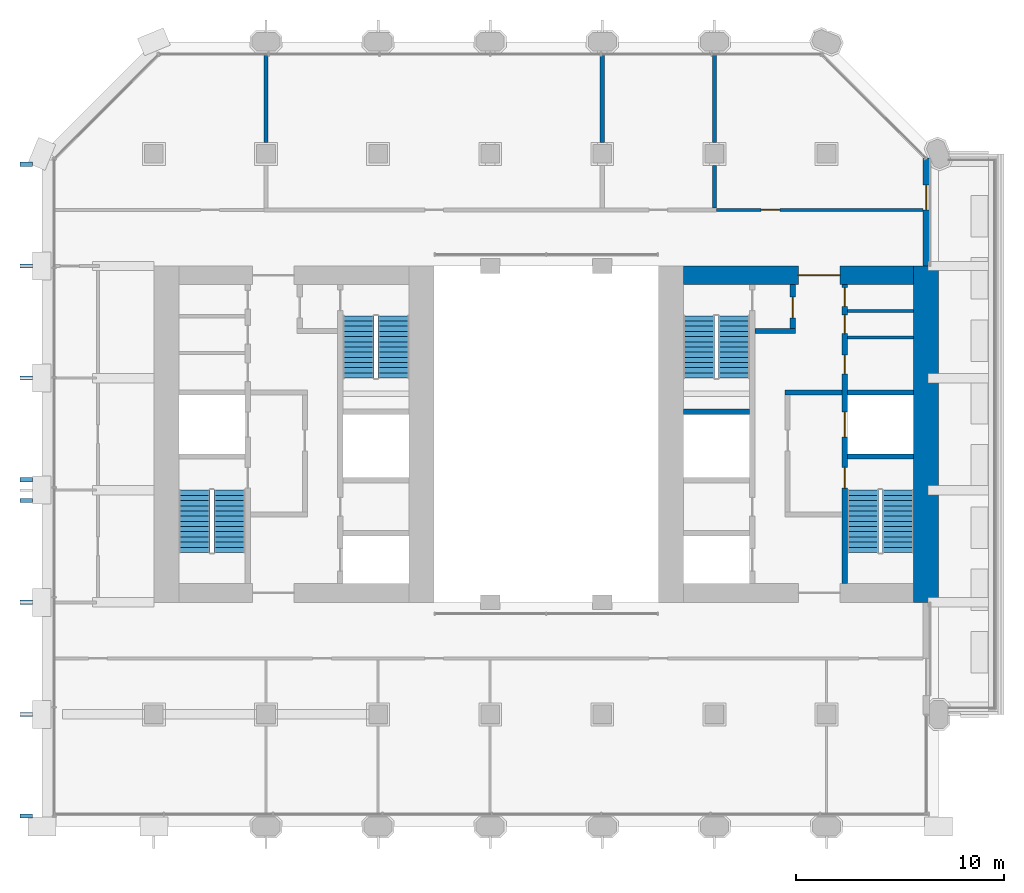
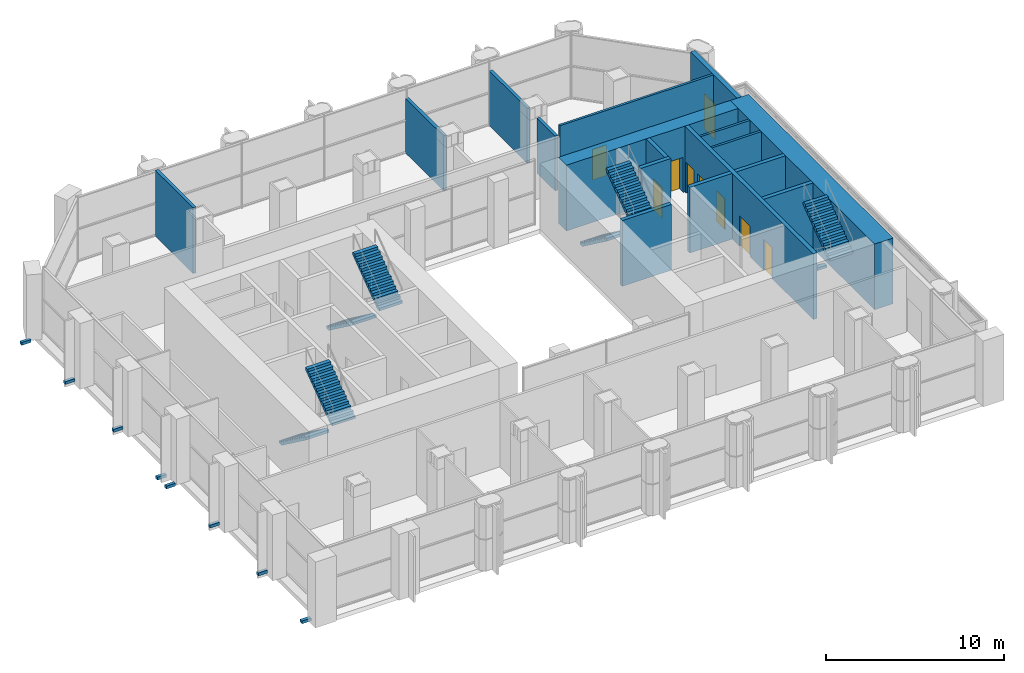
# One storey, part 12 of 15: 17 walls, 9 doors, 8 discrete accessories, 8 stair flights, 9 openings, 4 elements without a shape of their own.
"""IFC4 building model written with IfcOpenShell, lengths in metres."""

from ifc_helpers import new_model, si_unit, direction, frame, frame_2d, origin, origin_2d, place, context, subcontext, project, spatial, polyline, rectangle, outline, extrude, material, layer, layer_set, type_object, element, fill, aggregate, save


model = new_model("IFC4")

# Units and contexts
model_context = context("Model", 3, precision=1e-05, world=origin(), true_north=direction((0.0, 1.0)))
body_context = subcontext(model_context, "Body", "Model", "MODEL_VIEW")
ifc_project = project(units=[si_unit("LENGTHUNIT", "METRE"), si_unit("AREAUNIT", "SQUARE_METRE"), si_unit("VOLUMEUNIT", "CUBIC_METRE"), si_unit("PLANEANGLEUNIT", "RADIAN"), si_unit("MASSUNIT", "GRAM", prefix="KILO")], contexts=[model_context])

# Site, building, storey
site_placement = place(None, origin())
site = spatial("IfcSite", under=ifc_project, at=site_placement, CompositionType="ELEMENT")
building_placement = place(site_placement, origin())
building = spatial("IfcBuilding", under=site, at=building_placement, Name="Tabaq Tower and Sports Hall", CompositionType="ELEMENT")
storey_placement = place(building_placement, frame((0.0, 0.0, 143.199951171875)))
storey = spatial("IfcBuildingStorey", under=building, at=storey_placement, Name="L33", CompositionType="ELEMENT", Elevation=143.199951171875)

# Walls
ifc_material_1 = material(Name="Blockwork", Category="masonry")
ifc_layer_1 = layer(ifc_material_1, 0.14990234375)
ifc_layer_set_1 = layer_set([ifc_layer_1], Name="Core room partition 150 Blockwork")
wall_type_1 = type_object("IfcWallType", Name="Core room partition 150 Blockwork", PredefinedType="PARTITIONING", material=ifc_layer_set_1)
for number, where, z_axis, x_axis, name in (
    (1, (38.800048828125, 28.962890625, 0.0), (0.0, 0.0, 1.0), (1.0, 0.0, 0.0), "Core room partition E L33"),
    (2, (38.800048828125, 30.23193359375, 0.0), (0.0, 0.0, 1.0), (1.0, 0.0, 0.0), "Core room partition E L33"),
):
    element("IfcWall", number, at=place(storey_placement, frame(where, z_axis=z_axis, x_axis=x_axis)), inside=storey, type_object=wall_type_1, Name=name, PredefinedType="PARTITIONING", context=body_context, shape_type="SweptSolid", body=[
        extrude(rectangle(XDim=3.199951171875, YDim=0.14990234375, at=frame_2d((1.60009765625, 0.0))), origin(), (0.0, 0.0, 1.0), 4.5),
    ])
ifc_material_2 = material(Name="Concrete C50/60", Category="concrete")
ifc_layer_2 = layer(ifc_material_2, 1.199951171875)
ifc_layer_set_2 = layer_set([ifc_layer_2], Name="Core wall 1200 Concrete C50/60")
wall_type_2 = type_object("IfcWallType", Name="Core wall 1200 Concrete C50/60", PredefinedType="SOLIDWALL", material=ifc_layer_set_2)
wall_1_placement = place(storey_placement, frame((42.60009765625, 32.39990234375, 0.0), z_axis=(0.0, 0.0, 1.0), x_axis=(0.0, -1.0, 0.0)))
element("IfcWall", 3, at=wall_1_placement, inside=storey, type_object=wall_type_2, Name="Core wall E L33", PredefinedType="SOLIDWALL", context=body_context, shape_type="SweptSolid", body=[
    extrude(rectangle(XDim=16.199951171875, YDim=1.199951171875, at=frame_2d((8.10009765625, 0.0))), origin(), (0.0, 0.0, 1.0), 4.5),
])

# Wall, opening, door
ifc_material_3 = material(Name="Concrete C50/60", Category="concrete")
ifc_layer_3 = layer(ifc_material_3, 0.89990234375)
ifc_layer_set_3 = layer_set([ifc_layer_3], Name="Core wall 900 Concrete C50/60")
wall_type_3 = type_object("IfcWallType", Name="Core wall 900 Concrete C50/60", PredefinedType="SOLIDWALL", material=ifc_layer_set_3)
wall_2_placement = place(storey_placement, frame((30.89990234375, 31.949951171875, 0.0), z_axis=(0.0, 0.0, 1.0), x_axis=(1.0, 0.0, 0.0)))
wall_2 = element("IfcWall", 4, at=wall_2_placement, inside=storey, type_object=wall_type_3, Name="Core wall E L33", PredefinedType="SOLIDWALL", context=body_context, shape_type="SweptSolid", body=[
    extrude(rectangle(XDim=11.10009765625, YDim=0.89990234375, at=frame_2d((5.550048828125, 0.0))), origin(), (0.0, 0.0, 1.0), 4.5),
])
opening_1_placement = place(wall_2_placement, frame((5.550048828125, 0.0, 0.0)))
opening_1 = element("IfcOpeningElement", 5, at=opening_1_placement, cuts=wall_2, Name="Opening PD-EL33-02", PredefinedType="OPENING", context=body_context, shape_type="SweptSolid", body=[
    extrude(rectangle(XDim=2.0, YDim=2.39990234375, at=frame_2d((1.0, 1.199951171875))), frame((0.0, 0.449951171875, 0.0), z_axis=(0.0, -1.0, 0.0), x_axis=(1.0, 0.0, 0.0)), (0.0, 0.0, 1.0), 0.89990234375),
])
ifc_material_4 = material(Name="Steel fire door", Category="steel")
door_type_1 = type_object("IfcDoorType", Name="Core entrance door 2000", OperationType="DOUBLE_DOOR_SINGLE_SWING", PredefinedType="DOOR", material=ifc_material_4)
door_1_placement = place(opening_1_placement, origin())
door_1 = element("IfcDoor", 6, at=door_1_placement, inside=storey, type_object=door_type_1, Name="Core entrance north E L33", OperationType="DOUBLE_DOOR_SINGLE_SWING", OverallHeight=2.39990234375, OverallWidth=2.0, PredefinedType="DOOR", context=body_context, shape_type="SweptSolid", body=[
    extrude(rectangle(XDim=2.0, YDim=2.39990234375, at=frame_2d((1.0, 1.199951171875))), frame((0.0, 0.02490234375, 0.0), z_axis=(0.0, -1.0, 0.0), x_axis=(1.0, 0.0, 0.0)), (0.0, 0.0, 1.0), 0.050048828125),
])
fill(opening_1, door_1)

# Walls
ifc_material_5 = material(Name="Blockwork", Category="masonry")
ifc_layer_4 = layer(ifc_material_5, 0.199951171875)
ifc_layer_set_4 = layer_set([ifc_layer_4], Name="Fire compartment wall 200 Blockwork")
wall_type_4 = type_object("IfcWallType", Name="Fire compartment wall 200 Blockwork", PredefinedType="PARTITIONING", material=ifc_layer_set_4)
wall_3_placement = place(storey_placement, frame((10.800048828125, 38.3505859375, 0.0), z_axis=(0.0, 0.0, 1.0), x_axis=(0.0, 1.0, 0.0)))
element("IfcWall", 7, at=wall_3_placement, inside=storey, type_object=wall_type_4, Name="Compartment wall L33", PredefinedType="PARTITIONING", context=body_context, shape_type="SweptSolid", body=[
    extrude(rectangle(XDim=4.24951171875, YDim=0.199951171875, at=frame_2d((2.124755859375, 0.0))), origin(), (0.0, 0.0, 1.0), 4.5),
])
wall_4_placement = place(storey_placement, frame((27.0, 38.3505859375, 0.0), z_axis=(0.0, 0.0, 1.0), x_axis=(0.0, 1.0, 0.0)))
element("IfcWall", 8, at=wall_4_placement, inside=storey, type_object=wall_type_4, Name="Compartment wall L33", PredefinedType="PARTITIONING", context=body_context, shape_type="SweptSolid", body=[
    extrude(rectangle(XDim=4.24951171875, YDim=0.199951171875, at=frame_2d((2.124755859375, 0.0))), origin(), (0.0, 0.0, 1.0), 3.75),
])
wall_5_placement = place(storey_placement, frame((32.39990234375, 35.199951171875, 0.0), z_axis=(0.0, 0.0, 1.0), x_axis=(0.0, 1.0, 0.0)))
element("IfcWall", 9, at=wall_5_placement, inside=storey, type_object=wall_type_4, Name="Compartment wall L33", PredefinedType="PARTITIONING", context=body_context, shape_type="SweptSolid", body=[
    extrude(rectangle(XDim=2.04931640625, YDim=0.199951171875, at=frame_2d((1.024658203125, 0.0))), origin(), (0.0, 0.0, 1.0), 3.75),
])
wall_6_placement = place(storey_placement, frame((32.39990234375, 38.3505859375, 0.0), z_axis=(0.0, 0.0, 1.0), x_axis=(0.0, 1.0, 0.0)))
element("IfcWall", 10, at=wall_6_placement, inside=storey, type_object=wall_type_4, Name="Compartment wall L33", PredefinedType="PARTITIONING", context=body_context, shape_type="SweptSolid", body=[
    extrude(rectangle(XDim=4.24951171875, YDim=0.199951171875, at=frame_2d((2.124755859375, 0.0))), origin(), (0.0, 0.0, 1.0), 3.75),
])

# Wall, opening, door
ifc_material_6 = material(Name="Blockwork", Category="masonry")
ifc_layer_5 = layer(ifc_material_6, 0.14990234375)
ifc_layer_set_5 = layer_set([ifc_layer_5], Name="Separating wall 150 Blockwork")
wall_type_5 = type_object("IfcWallType", Name="Separating wall 150 Blockwork", PredefinedType="PARTITIONING", material=ifc_layer_set_5)
wall_7_placement = place(storey_placement, frame((42.448974609375, 35.10009765625, 0.0), z_axis=(0.0, 0.0, 1.0), x_axis=(-1.0, 0.0, 0.0)))
wall_7 = element("IfcWall", 11, at=wall_7_placement, inside=storey, type_object=wall_type_5, Name="Separating wall L33", PredefinedType="PARTITIONING", context=body_context, shape_type="SweptSolid", body=[
    extrude(rectangle(XDim=9.948974609375, YDim=0.14990234375, at=frame_2d((4.974609375, 0.0))), origin(), (0.0, 0.0, 1.0), 4.5),
])
opening_2_placement = place(wall_7_placement, frame((6.89892578125, 0.0, 0.0)))
opening_2 = element("IfcOpeningElement", 12, at=opening_2_placement, cuts=wall_7, Name="Opening L33-004", PredefinedType="OPENING", context=body_context, shape_type="SweptSolid", body=[
    extrude(rectangle(XDim=0.89990234375, YDim=2.10009765625, at=frame_2d((0.449951171875, 1.050048828125))), frame((0.0, 0.074951171875, 0.0), z_axis=(0.0, -1.0, 0.0), x_axis=(1.0, 0.0, 0.0)), (0.0, 0.0, 1.0), 0.14990234375),
])
ifc_material_7 = material(Name="Timber leaf in steel frame", Category="steel")
door_type_2 = type_object("IfcDoorType", Name="Internal door 900 left hand", OperationType="SINGLE_SWING_LEFT", PredefinedType="DOOR", material=ifc_material_7)
door_2_placement = place(opening_2_placement, origin())
door_2 = element("IfcDoor", 13, at=door_2_placement, inside=storey, type_object=door_type_2, Name="Internal door L33-004", OperationType="SINGLE_SWING_LEFT", OverallHeight=2.10009765625, OverallWidth=0.89990234375, PredefinedType="DOOR", context=body_context, shape_type="SweptSolid", body=[
    extrude(rectangle(XDim=0.89990234375, YDim=2.10009765625, at=frame_2d((0.449951171875, 1.050048828125))), frame((0.0, 0.02490234375, 0.0), z_axis=(0.0, -1.0, 0.0), x_axis=(1.0, 0.0, 0.0)), (0.0, 0.0, 1.0), 0.050048828125),
])
fill(opening_2, door_2)

# Wall, openings, doors
ifc_material_8 = material(Name="Concrete C40/50", Category="concrete")
ifc_layer_6 = layer(ifc_material_8, 0.25)
ifc_layer_set_6 = layer_set([ifc_layer_6], Name="Shaft and stair wall 250 Concrete C40/50")
wall_type_6 = type_object("IfcWallType", Name="Shaft and stair wall 250 Concrete C40/50", PredefinedType="SOLIDWALL", material=ifc_layer_set_6)
wall_8_placement = place(storey_placement, frame((38.675048828125, 17.10009765625, 0.0), z_axis=(0.0, 0.0, 1.0), x_axis=(0.0, 1.0, 0.0)))
wall_8 = element("IfcWall", 14, at=wall_8_placement, inside=storey, type_object=wall_type_6, Name="Shaft wall E L33", PredefinedType="SOLIDWALL", context=body_context, shape_type="SweptSolid", body=[
    extrude(rectangle(XDim=14.39990234375, YDim=0.25, at=frame_2d((7.199951171875, 0.0))), origin(), (0.0, 0.0, 1.0), 4.5),
])
opening_3_placement = place(wall_8_placement, frame((4.60009765625, 0.0, 0.0)))
opening_3 = element("IfcOpeningElement", 15, at=opening_3_placement, cuts=wall_8, Name="Opening SD-EL33-03", PredefinedType="OPENING", context=body_context, shape_type="SweptSolid", body=[
    extrude(rectangle(XDim=1.0, YDim=2.10009765625, at=frame_2d((0.5, 1.050048828125))), frame((0.0, 0.125, 0.0), z_axis=(0.0, -1.0, 0.0), x_axis=(1.0, 0.0, 0.0)), (0.0, 0.0, 1.0), 0.25),
])
opening_4_placement = place(wall_8_placement, frame((7.0625, 0.0, 0.0)))
opening_4 = element("IfcOpeningElement", 16, at=opening_4_placement, cuts=wall_8, Name="Opening LD-FF2-L33", PredefinedType="OPENING", context=body_context, shape_type="SweptSolid", body=[
    extrude(rectangle(XDim=1.199951171875, YDim=2.10009765625, at=frame_2d((0.60009765625, 1.050048828125))), frame((0.0, 0.125, 0.0), z_axis=(0.0, -1.0, 0.0), x_axis=(1.0, 0.0, 0.0)), (0.0, 0.0, 1.0), 0.25),
])
opening_5_placement = place(wall_8_placement, frame((10.1064453125, 0.0, 0.0)))
opening_5 = element("IfcOpeningElement", 17, at=opening_5_placement, cuts=wall_8, Name="Opening RD-EL33-09", PredefinedType="OPENING", context=body_context, shape_type="SweptSolid", body=[
    extrude(rectangle(XDim=0.89990234375, YDim=2.10009765625, at=frame_2d((0.449951171875, 1.050048828125))), frame((0.0, 0.125, 0.0), z_axis=(0.0, -1.0, 0.0), x_axis=(1.0, 0.0, 0.0)), (0.0, 0.0, 1.0), 0.25),
])
opening_6_placement = place(wall_8_placement, frame((12.047607421875, 0.0, 0.0)))
opening_6 = element("IfcOpeningElement", 18, at=opening_6_placement, cuts=wall_8, Name="Opening RD-EL33-10", PredefinedType="OPENING", context=body_context, shape_type="SweptSolid", body=[
    extrude(rectangle(XDim=0.89990234375, YDim=2.10009765625, at=frame_2d((0.449951171875, 1.050048828125))), frame((0.0, 0.125, 0.0), z_axis=(0.0, -1.0, 0.0), x_axis=(1.0, 0.0, 0.0)), (0.0, 0.0, 1.0), 0.25),
])
opening_7_placement = place(wall_8_placement, frame((13.353515625, 0.0, 0.0)))
opening_7 = element("IfcOpeningElement", 19, at=opening_7_placement, cuts=wall_8, Name="Opening RD-EL33-11", PredefinedType="OPENING", context=body_context, shape_type="SweptSolid", body=[
    extrude(rectangle(XDim=0.89990234375, YDim=2.10009765625, at=frame_2d((0.449951171875, 1.050048828125))), frame((0.0, 0.125, 0.0), z_axis=(0.0, -1.0, 0.0), x_axis=(1.0, 0.0, 0.0)), (0.0, 0.0, 1.0), 0.25),
])
ifc_material_9 = material(Name="Steel fire door", Category="steel")
door_type_3 = type_object("IfcDoorType", Name="Core room door 900", OperationType="SINGLE_SWING_LEFT", PredefinedType="DOOR", material=ifc_material_9)
door_3_placement = place(opening_5_placement, origin())
door_3 = element("IfcDoor", 20, at=door_3_placement, inside=storey, type_object=door_type_3, Name="Door Unisex WC E L33", OperationType="SINGLE_SWING_LEFT", OverallHeight=2.10009765625, OverallWidth=0.89990234375, PredefinedType="DOOR", context=body_context, shape_type="SweptSolid", body=[
    extrude(rectangle(XDim=0.89990234375, YDim=2.10009765625, at=frame_2d((0.449951171875, 1.050048828125))), frame((0.0, 0.02490234375, 0.0), z_axis=(0.0, -1.0, 0.0), x_axis=(1.0, 0.0, 0.0)), (0.0, 0.0, 1.0), 0.050048828125),
])
fill(opening_5, door_3)
door_4_placement = place(opening_6_placement, origin())
door_4 = element("IfcDoor", 21, at=door_4_placement, inside=storey, type_object=door_type_3, Name="Door Cleaner's Store E L33", OperationType="SINGLE_SWING_LEFT", OverallHeight=2.10009765625, OverallWidth=0.89990234375, PredefinedType="DOOR", context=body_context, shape_type="SweptSolid", body=[
    extrude(rectangle(XDim=0.89990234375, YDim=2.10009765625, at=frame_2d((0.449951171875, 1.050048828125))), frame((0.0, 0.02490234375, 0.0), z_axis=(0.0, -1.0, 0.0), x_axis=(1.0, 0.0, 0.0)), (0.0, 0.0, 1.0), 0.050048828125),
])
fill(opening_6, door_4)
door_5_placement = place(opening_7_placement, origin())
door_5 = element("IfcDoor", 22, at=door_5_placement, inside=storey, type_object=door_type_3, Name="Door Accessible WC E L33", OperationType="SINGLE_SWING_LEFT", OverallHeight=2.10009765625, OverallWidth=0.89990234375, PredefinedType="DOOR", context=body_context, shape_type="SweptSolid", body=[
    extrude(rectangle(XDim=0.89990234375, YDim=2.10009765625, at=frame_2d((0.449951171875, 1.050048828125))), frame((0.0, 0.02490234375, 0.0), z_axis=(0.0, -1.0, 0.0), x_axis=(1.0, 0.0, 0.0)), (0.0, 0.0, 1.0), 0.050048828125),
])
fill(opening_7, door_5)
ifc_material_10 = material(Name="Stainless steel", Category="steel")
door_type_4 = type_object("IfcDoorType", Name="Lift landing door 1200", OperationType="DOUBLE_DOOR_SLIDING", PredefinedType="DOOR", material=ifc_material_10)
door_6_placement = place(opening_4_placement, origin())
door_6 = element("IfcDoor", 23, at=door_6_placement, inside=storey, type_object=door_type_4, Name="Lift landing door FF2 E L33", OperationType="DOUBLE_DOOR_SLIDING", OverallHeight=2.10009765625, OverallWidth=1.199951171875, PredefinedType="DOOR", context=body_context, shape_type="SweptSolid", body=[
    extrude(rectangle(XDim=1.199951171875, YDim=2.10009765625, at=frame_2d((0.60009765625, 1.050048828125))), frame((0.0, 0.02490234375, 0.0), z_axis=(0.0, -1.0, 0.0), x_axis=(1.0, 0.0, 0.0)), (0.0, 0.0, 1.0), 0.050048828125),
])
fill(opening_4, door_6)
ifc_material_11 = material(Name="Steel fire door", Category="steel")
door_type_5 = type_object("IfcDoorType", Name="Stair door 1000", OperationType="SINGLE_SWING_LEFT", PredefinedType="DOOR", material=ifc_material_11)
door_7_placement = place(opening_3_placement, origin())
door_7 = element("IfcDoor", 24, at=door_7_placement, inside=storey, type_object=door_type_5, Name="Stair door ST3 E L33", OperationType="SINGLE_SWING_LEFT", OverallHeight=2.10009765625, OverallWidth=1.0, PredefinedType="DOOR", context=body_context, shape_type="SweptSolid", body=[
    extrude(rectangle(XDim=1.0, YDim=2.10009765625, at=frame_2d((0.5, 1.050048828125))), frame((0.0, 0.02490234375, 0.0), z_axis=(0.0, -1.0, 0.0), x_axis=(1.0, 0.0, 0.0)), (0.0, 0.0, 1.0), 0.050048828125),
])
fill(opening_3, door_7)

# Walls
wall_9_placement = place(storey_placement, frame((38.800048828125, 23.22509765625, 0.0), z_axis=(0.0, 0.0, 1.0), x_axis=(1.0, 0.0, 0.0)))
element("IfcWall", 25, at=wall_9_placement, inside=storey, type_object=wall_type_6, Name="Stair enclosure wall E L33", PredefinedType="SOLIDWALL", context=body_context, shape_type="SweptSolid", body=[
    extrude(rectangle(XDim=3.199951171875, YDim=0.25, at=frame_2d((1.60009765625, 0.0))), origin(), (0.0, 0.0, 1.0), 4.5),
])
wall_10_placement = place(storey_placement, frame((30.89990234375, 25.375, 0.0), z_axis=(0.0, 0.0, 1.0), x_axis=(1.0, 0.0, 0.0)))
element("IfcWall", 26, at=wall_10_placement, inside=storey, type_object=wall_type_6, Name="Stair enclosure wall E L33", PredefinedType="SOLIDWALL", context=body_context, shape_type="SweptSolid", body=[
    extrude(rectangle(XDim=3.2001953125, YDim=0.25, at=frame_2d((1.60009765625, 0.0))), origin(), (0.0, 0.0, 1.0), 4.5),
])
wall_11_placement = place(storey_placement, frame((38.800048828125, 26.300048828125, 0.0), z_axis=(0.0, 0.0, 1.0), x_axis=(1.0, 0.0, 0.0)))
element("IfcWall", 27, at=wall_11_placement, inside=storey, type_object=wall_type_6, Name="Shaft wall E L33", PredefinedType="SOLIDWALL", context=body_context, shape_type="SweptSolid", body=[
    extrude(rectangle(XDim=3.199951171875, YDim=0.25, at=frame_2d((1.60009765625, 0.0))), origin(), (0.0, 0.0, 1.0), 4.5),
])
wall_12_placement = place(storey_placement, frame((35.800048828125, 26.300048828125, 0.0), z_axis=(0.0, 0.0, 1.0), x_axis=(1.0, 0.0, 0.0)))
element("IfcWall", 28, at=wall_12_placement, inside=storey, type_object=wall_type_6, Name="Fire-fighting lobby wall E L33", PredefinedType="SOLIDWALL", context=body_context, shape_type="SweptSolid", body=[
    extrude(rectangle(XDim=2.75, YDim=0.25, at=frame_2d((1.375, 0.0))), origin(), (0.0, 0.0, 1.0), 4.5),
])

# Wall, opening, door
wall_13_placement = place(storey_placement, frame((36.175048828125, 29.39990234375, 0.0), z_axis=(0.0, 0.0, 1.0), x_axis=(0.0, 1.0, 0.0)))
wall_13 = element("IfcWall", 29, at=wall_13_placement, inside=storey, type_object=wall_type_6, Name="Fire-fighting lobby wall E L33", PredefinedType="SOLIDWALL", context=body_context, shape_type="SweptSolid", body=[
    extrude(rectangle(XDim=2.10009765625, YDim=0.25, at=frame_2d((1.050048828125, 0.0))), origin(), (0.0, 0.0, 1.0), 4.5),
])
opening_8_placement = place(wall_13_placement, frame((0.5, 0.0, 0.0)))
opening_8 = element("IfcOpeningElement", 30, at=opening_8_placement, cuts=wall_13, Name="Opening FD-EL33-06", PredefinedType="OPENING", context=body_context, shape_type="SweptSolid", body=[
    extrude(rectangle(XDim=1.0, YDim=2.10009765625, at=frame_2d((0.5, 1.050048828125))), frame((0.0, 0.125, 0.0), z_axis=(0.0, -1.0, 0.0), x_axis=(1.0, 0.0, 0.0)), (0.0, 0.0, 1.0), 0.25),
])
ifc_material_12 = material(Name="Steel fire door", Category="steel")
door_type_6 = type_object("IfcDoorType", Name="Fire-fighting lobby door 1000", OperationType="SINGLE_SWING_LEFT", PredefinedType="DOOR", material=ifc_material_12)
door_8_placement = place(opening_8_placement, origin())
door_8 = element("IfcDoor", 31, at=door_8_placement, inside=storey, type_object=door_type_6, Name="Stair lobby door E L33", OperationType="SINGLE_SWING_LEFT", OverallHeight=2.10009765625, OverallWidth=1.0, PredefinedType="DOOR", context=body_context, shape_type="SweptSolid", body=[
    extrude(rectangle(XDim=1.0, YDim=2.10009765625, at=frame_2d((0.5, 1.050048828125))), frame((0.0, 0.02490234375, 0.0), z_axis=(0.0, -1.0, 0.0), x_axis=(1.0, 0.0, 0.0)), (0.0, 0.0, 1.0), 0.050048828125),
])
fill(opening_8, door_8)

# Wall
wall_14_placement = place(storey_placement, frame((34.35009765625, 29.27490234375, 0.0), z_axis=(0.0, 0.0, 1.0), x_axis=(1.0, 0.0, 0.0)))
element("IfcWall", 32, at=wall_14_placement, inside=storey, type_object=wall_type_6, Name="Fire-fighting lobby wall E L33", PredefinedType="SOLIDWALL", context=body_context, shape_type="SweptSolid", body=[
    extrude(rectangle(XDim=1.949951171875, YDim=0.25, at=frame_2d((0.97509765625, 0.0))), origin(), (0.0, 0.0, 1.0), 4.5),
])

# Wall, opening, door
ifc_material_13 = material(Name="White precast concrete C60/75", Category="concrete")
ifc_layer_7 = layer(ifc_material_13, 0.300048828125)
ifc_layer_set_7 = layer_set([ifc_layer_7], Name="White precast concrete C60/75 external wall 300")
wall_type_7 = type_object("IfcWallType", Name="White precast concrete C60/75 external wall 300", PredefinedType="SOLIDWALL", material=ifc_layer_set_7)
wall_15_placement = place(storey_placement, frame((42.60009765625, 32.39990234375, 0.0), z_axis=(0.0, 0.0, 1.0), x_axis=(0.0, 1.0, 0.0)))
wall_15 = element("IfcWall", 33, at=wall_15_placement, inside=storey, type_object=wall_type_7, Name="External Wall L33 E", PredefinedType="SOLIDWALL", context=body_context, shape_type="SweptSolid", body=[
    extrude(rectangle(XDim=5.213623046875, YDim=0.300048828125, at=frame_2d((2.60693359375, 0.0))), origin(), (0.0, 0.0, 1.0), 4.5),
])
opening_9_placement = place(wall_15_placement, frame((2.699951171875, 0.0, 0.0)))
opening_9 = element("IfcOpeningElement", 34, at=opening_9_placement, cuts=wall_15, Name="Opening TD3302", PredefinedType="OPENING", context=body_context, shape_type="SweptSolid", body=[
    extrude(rectangle(XDim=1.199951171875, YDim=2.39990234375, at=frame_2d((0.60009765625, 1.199951171875))), frame((0.0, 0.16015625, 0.0), z_axis=(0.0, -1.0, 0.0), x_axis=(1.0, 0.0, 0.0)), (0.0, 0.0, 1.0), 0.320068359375),
])
ifc_material_14 = material(Name="Aluminium framed clear glazing", Category="aluminium")
door_type_7 = type_object("IfcDoorType", Name="Terrace door TD2", OperationType="SINGLE_SWING_LEFT", PredefinedType="DOOR", material=ifc_material_14)
door_9_placement = place(opening_9_placement, origin())
door_9 = element("IfcDoor", 35, at=door_9_placement, inside=storey, type_object=door_type_7, Name="Terrace door TD3302", OperationType="SINGLE_SWING_LEFT", OverallHeight=2.39990234375, OverallWidth=1.199951171875, PredefinedType="DOOR", context=body_context, shape_type="SweptSolid", body=[
    extrude(rectangle(XDim=1.199951171875, YDim=2.39990234375, at=frame_2d((0.60009765625, 1.199951171875))), frame((0.0, 0.02490234375, 0.0), z_axis=(0.0, -1.0, 0.0), x_axis=(1.0, 0.0, 0.0)), (0.0, 0.0, 1.0), 0.050048828125),
])
fill(opening_9, door_9)

# Stair, stair flights
ifc_material_15 = material(Name="Concrete C40/50", Category="concrete")
stair_type = type_object("IfcStairType", Name="Exit stair", PredefinedType="HALF_TURN_STAIR", material=ifc_material_15)
stair_1_placement = place(storey_placement, origin())
stair_1 = element("IfcStair", 36, at=stair_1_placement, inside=storey, type_object=stair_type, Name="L33 Exit stair ST1", PredefinedType="HALF_TURN_STAIR")
ifc_material_16 = material(Name="Concrete C40/50", Category="concrete")
stair_flight_type = type_object("IfcStairFlightType", Name="Exit stair flight", PredefinedType="STRAIGHT", material=ifc_material_16)
stair_flight_1_placement = place(storey_placement, frame((7.35009765625, 21.60009765625, 0.0), z_axis=(0.0, 0.0, 1.0), x_axis=(0.0, -1.0, 0.0)))
stair_flight_1 = element("IfcStairFlight", 37, at=stair_flight_1_placement, type_object=stair_flight_type, Name="ST1 flight 1", NumberOfRisers=13, NumberOfTreads=12, PredefinedType="STRAIGHT", RiserHeight=0.184615385, TreadLength=0.25, context=body_context, shape_type="SweptSolid", body=[
    extrude(outline(polyline([(0.0, 0.0), (0.0, 0.1845703125), (0.25, 0.1845703125), (0.25, 0.369140625), (0.5, 0.369140625), (0.5, 0.553955078125), (0.75, 0.553955078125), (0.75, 0.738525390625), (1.0, 0.738525390625), (1.0, 0.923095703125), (1.25, 0.923095703125), (1.25, 1.107666015625), (1.5, 1.107666015625), (1.5, 1.292236328125), (1.75, 1.292236328125), (1.75, 1.476806640625), (2.0, 1.476806640625), (2.0, 1.66162109375), (2.25, 1.66162109375), (2.25, 1.84619140625), (2.5, 1.84619140625), (2.5, 2.03076171875), (2.75, 2.03076171875), (2.75, 2.21533203125), (3.0, 2.21533203125), (3.0, 2.39990234375), (3.0, 2.029052734375), (0.25244140625, 0.0), (0.0, 0.0)])), frame((0.0, 0.75, 0.0), z_axis=(0.0, -1.0, 0.0), x_axis=(1.0, 0.0, 0.0)), (0.0, 0.0, 1.0), 1.5),
])
stair_flight_2_placement = place(storey_placement, frame((9.050048828125, 18.60009765625, 2.400146484375), z_axis=(0.0, 0.0, 1.0), x_axis=(0.0, 1.0, 0.0)))
stair_flight_2 = element("IfcStairFlight", 38, at=stair_flight_2_placement, type_object=stair_flight_type, Name="ST1 flight 2", NumberOfRisers=13, NumberOfTreads=12, PredefinedType="STRAIGHT", RiserHeight=0.184615385, TreadLength=0.25, context=body_context, shape_type="SweptSolid", body=[
    extrude(outline(polyline([(0.0, 0.0), (0.0, 0.1845703125), (0.25, 0.1845703125), (0.25, 0.369140625), (0.5, 0.369140625), (0.5, 0.553955078125), (0.75, 0.553955078125), (0.75, 0.738525390625), (1.0, 0.738525390625), (1.0, 0.923095703125), (1.25, 0.923095703125), (1.25, 1.107666015625), (1.5, 1.107666015625), (1.5, 1.292236328125), (1.75, 1.292236328125), (1.75, 1.476806640625), (2.0, 1.476806640625), (2.0, 1.66162109375), (2.25, 1.66162109375), (2.25, 1.84619140625), (2.5, 1.84619140625), (2.5, 2.03076171875), (2.75, 2.03076171875), (2.75, 2.21533203125), (3.0, 2.21533203125), (3.0, 2.39990234375), (3.0, 2.029052734375), (0.25244140625, 0.0), (0.0, 0.0)])), frame((0.0, 0.75, 0.0), z_axis=(0.0, -1.0, 0.0), x_axis=(1.0, 0.0, 0.0)), (0.0, 0.0, 1.0), 1.5),
])
aggregate(stair_1, [stair_flight_1, stair_flight_2])

stair_2_placement = place(storey_placement, origin())
stair_2 = element("IfcStair", 39, at=stair_2_placement, inside=storey, type_object=stair_type, Name="L33 Exit stair ST2", PredefinedType="HALF_TURN_STAIR")
stair_flight_3_placement = place(storey_placement, frame((15.25, 30.0, 0.0), z_axis=(0.0, 0.0, 1.0), x_axis=(0.0, -1.0, 0.0)))
stair_flight_3 = element("IfcStairFlight", 40, at=stair_flight_3_placement, type_object=stair_flight_type, Name="ST2 flight 1", NumberOfRisers=13, NumberOfTreads=12, PredefinedType="STRAIGHT", RiserHeight=0.184615385, TreadLength=0.25, context=body_context, shape_type="SweptSolid", body=[
    extrude(outline(polyline([(0.0, 0.0), (0.0, 0.1845703125), (0.25, 0.1845703125), (0.25, 0.369140625), (0.5, 0.369140625), (0.5, 0.553955078125), (0.75, 0.553955078125), (0.75, 0.738525390625), (1.0, 0.738525390625), (1.0, 0.923095703125), (1.25, 0.923095703125), (1.25, 1.107666015625), (1.5, 1.107666015625), (1.5, 1.292236328125), (1.75, 1.292236328125), (1.75, 1.476806640625), (2.0, 1.476806640625), (2.0, 1.66162109375), (2.25, 1.66162109375), (2.25, 1.84619140625), (2.5, 1.84619140625), (2.5, 2.03076171875), (2.75, 2.03076171875), (2.75, 2.21533203125), (3.0, 2.21533203125), (3.0, 2.39990234375), (3.0, 2.029052734375), (0.25244140625, 0.0), (0.0, 0.0)])), frame((0.0, 0.75, 0.0), z_axis=(0.0, -1.0, 0.0), x_axis=(1.0, 0.0, 0.0)), (0.0, 0.0, 1.0), 1.5),
])
stair_flight_4_placement = place(storey_placement, frame((16.949951171875, 27.0, 2.400146484375), z_axis=(0.0, 0.0, 1.0), x_axis=(0.0, 1.0, 0.0)))
stair_flight_4 = element("IfcStairFlight", 41, at=stair_flight_4_placement, type_object=stair_flight_type, Name="ST2 flight 2", NumberOfRisers=13, NumberOfTreads=12, PredefinedType="STRAIGHT", RiserHeight=0.184615385, TreadLength=0.25, context=body_context, shape_type="SweptSolid", body=[
    extrude(outline(polyline([(0.0, 0.0), (0.0, 0.1845703125), (0.25, 0.1845703125), (0.25, 0.369140625), (0.5, 0.369140625), (0.5, 0.553955078125), (0.75, 0.553955078125), (0.75, 0.738525390625), (1.0, 0.738525390625), (1.0, 0.923095703125), (1.25, 0.923095703125), (1.25, 1.107666015625), (1.5, 1.107666015625), (1.5, 1.292236328125), (1.75, 1.292236328125), (1.75, 1.476806640625), (2.0, 1.476806640625), (2.0, 1.66162109375), (2.25, 1.66162109375), (2.25, 1.84619140625), (2.5, 1.84619140625), (2.5, 2.03076171875), (2.75, 2.03076171875), (2.75, 2.21533203125), (3.0, 2.21533203125), (3.0, 2.39990234375), (3.0, 2.029052734375), (0.25244140625, 0.0), (0.0, 0.0)])), frame((0.0, 0.75, 0.0), z_axis=(0.0, -1.0, 0.0), x_axis=(1.0, 0.0, 0.0)), (0.0, 0.0, 1.0), 1.5),
])
aggregate(stair_2, [stair_flight_3, stair_flight_4])

stair_3_placement = place(storey_placement, origin())
stair_3 = element("IfcStair", 42, at=stair_3_placement, inside=storey, type_object=stair_type, Name="L33 Exit stair ST3", PredefinedType="HALF_TURN_STAIR")
stair_flight_5_placement = place(storey_placement, frame((39.550048828125, 21.60009765625, 0.0), z_axis=(0.0, 0.0, 1.0), x_axis=(0.0, -1.0, 0.0)))
stair_flight_5 = element("IfcStairFlight", 43, at=stair_flight_5_placement, type_object=stair_flight_type, Name="ST3 flight 1", NumberOfRisers=13, NumberOfTreads=12, PredefinedType="STRAIGHT", RiserHeight=0.184615385, TreadLength=0.25, context=body_context, shape_type="SweptSolid", body=[
    extrude(outline(polyline([(0.0, 0.0), (0.0, 0.1845703125), (0.25, 0.1845703125), (0.25, 0.369140625), (0.5, 0.369140625), (0.5, 0.553955078125), (0.75, 0.553955078125), (0.75, 0.738525390625), (1.0, 0.738525390625), (1.0, 0.923095703125), (1.25, 0.923095703125), (1.25, 1.107666015625), (1.5, 1.107666015625), (1.5, 1.292236328125), (1.75, 1.292236328125), (1.75, 1.476806640625), (2.0, 1.476806640625), (2.0, 1.66162109375), (2.25, 1.66162109375), (2.25, 1.84619140625), (2.5, 1.84619140625), (2.5, 2.03076171875), (2.75, 2.03076171875), (2.75, 2.21533203125), (3.0, 2.21533203125), (3.0, 2.39990234375), (3.0, 2.029052734375), (0.25244140625, 0.0), (0.0, 0.0)])), frame((0.0, 0.75, 0.0), z_axis=(0.0, -1.0, 0.0), x_axis=(1.0, 0.0, 0.0)), (0.0, 0.0, 1.0), 1.5),
])
stair_flight_6_placement = place(storey_placement, frame((41.25, 18.60009765625, 2.400146484375), z_axis=(0.0, 0.0, 1.0), x_axis=(0.0, 1.0, 0.0)))
stair_flight_6 = element("IfcStairFlight", 44, at=stair_flight_6_placement, type_object=stair_flight_type, Name="ST3 flight 2", NumberOfRisers=13, NumberOfTreads=12, PredefinedType="STRAIGHT", RiserHeight=0.184615385, TreadLength=0.25, context=body_context, shape_type="SweptSolid", body=[
    extrude(outline(polyline([(0.0, 0.0), (0.0, 0.1845703125), (0.25, 0.1845703125), (0.25, 0.369140625), (0.5, 0.369140625), (0.5, 0.553955078125), (0.75, 0.553955078125), (0.75, 0.738525390625), (1.0, 0.738525390625), (1.0, 0.923095703125), (1.25, 0.923095703125), (1.25, 1.107666015625), (1.5, 1.107666015625), (1.5, 1.292236328125), (1.75, 1.292236328125), (1.75, 1.476806640625), (2.0, 1.476806640625), (2.0, 1.66162109375), (2.25, 1.66162109375), (2.25, 1.84619140625), (2.5, 1.84619140625), (2.5, 2.03076171875), (2.75, 2.03076171875), (2.75, 2.21533203125), (3.0, 2.21533203125), (3.0, 2.39990234375), (3.0, 2.029052734375), (0.25244140625, 0.0), (0.0, 0.0)])), frame((0.0, 0.75, 0.0), z_axis=(0.0, -1.0, 0.0), x_axis=(1.0, 0.0, 0.0)), (0.0, 0.0, 1.0), 1.5),
])
aggregate(stair_3, [stair_flight_5, stair_flight_6])

stair_4_placement = place(storey_placement, origin())
stair_4 = element("IfcStair", 45, at=stair_4_placement, inside=storey, type_object=stair_type, Name="L33 Exit stair ST4", PredefinedType="HALF_TURN_STAIR")
stair_flight_7_placement = place(storey_placement, frame((31.64990234375, 30.0, 0.0), z_axis=(0.0, 0.0, 1.0), x_axis=(0.0, -1.0, 0.0)))
stair_flight_7 = element("IfcStairFlight", 46, at=stair_flight_7_placement, type_object=stair_flight_type, Name="ST4 flight 1", NumberOfRisers=13, NumberOfTreads=12, PredefinedType="STRAIGHT", RiserHeight=0.184615385, TreadLength=0.25, context=body_context, shape_type="SweptSolid", body=[
    extrude(outline(polyline([(0.0, 0.0), (0.0, 0.1845703125), (0.25, 0.1845703125), (0.25, 0.369140625), (0.5, 0.369140625), (0.5, 0.553955078125), (0.75, 0.553955078125), (0.75, 0.738525390625), (1.0, 0.738525390625), (1.0, 0.923095703125), (1.25, 0.923095703125), (1.25, 1.107666015625), (1.5, 1.107666015625), (1.5, 1.292236328125), (1.75, 1.292236328125), (1.75, 1.476806640625), (2.0, 1.476806640625), (2.0, 1.66162109375), (2.25, 1.66162109375), (2.25, 1.84619140625), (2.5, 1.84619140625), (2.5, 2.03076171875), (2.75, 2.03076171875), (2.75, 2.21533203125), (3.0, 2.21533203125), (3.0, 2.39990234375), (3.0, 2.029052734375), (0.25244140625, 0.0), (0.0, 0.0)])), frame((0.0, 0.75, 0.0), z_axis=(0.0, -1.0, 0.0), x_axis=(1.0, 0.0, 0.0)), (0.0, 0.0, 1.0), 1.5),
])
stair_flight_8_placement = place(storey_placement, frame((33.35009765625, 27.0, 2.400146484375), z_axis=(0.0, 0.0, 1.0), x_axis=(0.0, 1.0, 0.0)))
stair_flight_8 = element("IfcStairFlight", 47, at=stair_flight_8_placement, type_object=stair_flight_type, Name="ST4 flight 2", NumberOfRisers=13, NumberOfTreads=12, PredefinedType="STRAIGHT", RiserHeight=0.184615385, TreadLength=0.25, context=body_context, shape_type="SweptSolid", body=[
    extrude(outline(polyline([(0.0, 0.0), (0.0, 0.1845703125), (0.25, 0.1845703125), (0.25, 0.369140625), (0.5, 0.369140625), (0.5, 0.553955078125), (0.75, 0.553955078125), (0.75, 0.738525390625), (1.0, 0.738525390625), (1.0, 0.923095703125), (1.25, 0.923095703125), (1.25, 1.107666015625), (1.5, 1.107666015625), (1.5, 1.292236328125), (1.75, 1.292236328125), (1.75, 1.476806640625), (2.0, 1.476806640625), (2.0, 1.66162109375), (2.25, 1.66162109375), (2.25, 1.84619140625), (2.5, 1.84619140625), (2.5, 2.03076171875), (2.75, 2.03076171875), (2.75, 2.21533203125), (3.0, 2.21533203125), (3.0, 2.39990234375), (3.0, 2.029052734375), (0.25244140625, 0.0), (0.0, 0.0)])), frame((0.0, 0.75, 0.0), z_axis=(0.0, -1.0, 0.0), x_axis=(1.0, 0.0, 0.0)), (0.0, 0.0, 1.0), 1.5),
])
aggregate(stair_4, [stair_flight_7, stair_flight_8])

# Discrete accessories
for number, where, z_axis, x_axis, name in (
    (48, (-0.75, 37.300048828125, -0.10009765625), (0.0, 0.0, 1.0), (-1.0, 0.0, 0.0), "Stainless steel bracket"),
    (49, (-0.75, 32.39990234375, 0.2001953125), (0.0, 0.0, 1.0), (-1.0, 0.0, 0.0), "Stainless steel bracket"),
    (50, (-0.75, 27.0, 0.2001953125), (0.0, 0.0, 1.0), (-1.0, 0.0, 0.0), "Stainless steel bracket"),
    (51, (-0.75, 22.10009765625, -0.10009765625), (0.0, 0.0, 1.0), (-1.0, 0.0, 0.0), "Stainless steel bracket"),
    (52, (-0.75, 21.10009765625, -0.10009765625), (0.0, 0.0, 1.0), (-1.0, 0.0, 0.0), "Stainless steel bracket"),
    (53, (-0.75, 16.199951171875, 0.2001953125), (0.0, 0.0, 1.0), (-1.0, 0.0, 0.0), "Stainless steel bracket"),
    (54, (-0.75, 10.800048828125, 0.2001953125), (0.0, 0.0, 1.0), (-1.0, 0.0, 0.0), "Stainless steel bracket"),
    (55, (-0.75, 5.89990234375, -0.10009765625), (0.0, 0.0, 1.0), (-1.0, 0.0, 0.0), "Stainless steel bracket"),
):
    element("IfcDiscreteAccessory", number, at=place(storey_placement, frame(where, z_axis=z_axis, x_axis=x_axis)), inside=storey, Name=name, PredefinedType="BRACKET", context=body_context, shape_type="SweptSolid", body=[
        extrude(rectangle(XDim=0.60009765625, YDim=0.199951171875, at=origin_2d()), origin(), (0.0, 0.0, 1.0), 0.199951171875),
    ])

save(model, "model.ifc")
